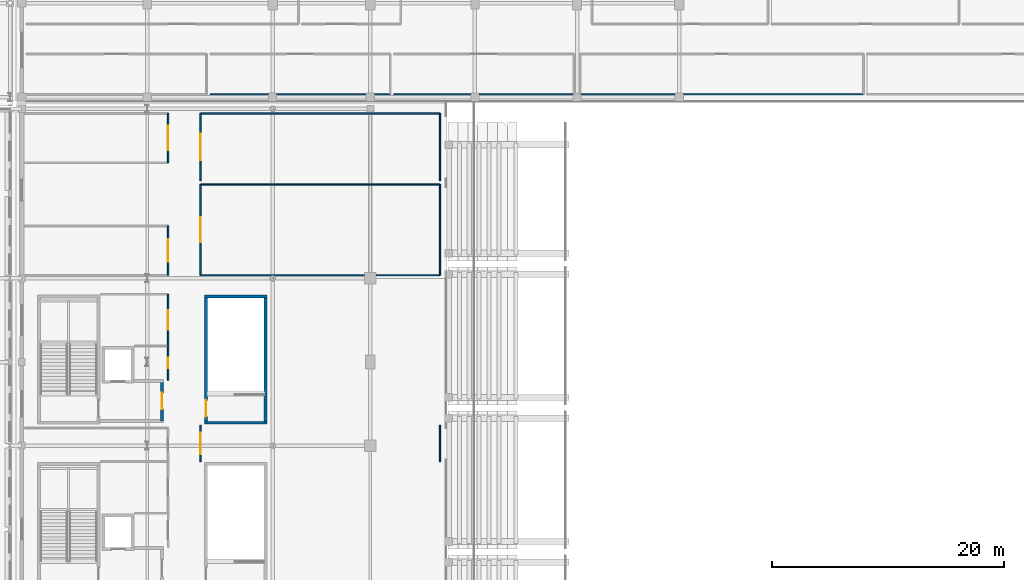
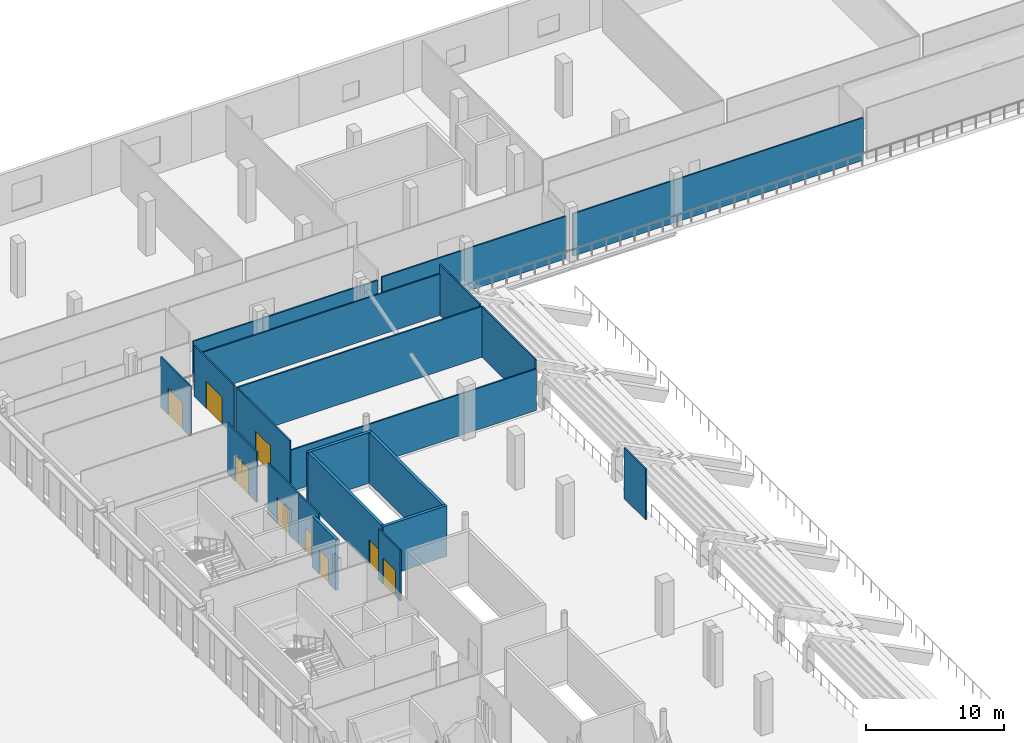
# One storey, part 34 of 74: 21 walls, 9 doors, 9 openings.
"""IFC4 building model written with IfcOpenShell, lengths in metres."""

from ifc_helpers import new_model, si_unit, direction, frame, frame_2d, origin, place, context, subcontext, project, spatial, rectangle, extrude, material, layer, layer_set, type_object, element, fill, save


model = new_model("IFC4")

# Units and contexts
model_context = context("Model", 3, precision=1e-05, world=origin(), true_north=direction((0.0, 1.0)))
body_context = subcontext(model_context, "Body", "Model", "MODEL_VIEW")
ifc_project = project(units=[si_unit("LENGTHUNIT", "METRE"), si_unit("AREAUNIT", "SQUARE_METRE"), si_unit("VOLUMEUNIT", "CUBIC_METRE"), si_unit("PLANEANGLEUNIT", "RADIAN"), si_unit("MASSUNIT", "GRAM", prefix="KILO")], contexts=[model_context])

# Site, building, storey
site_placement = place(None, origin())
site = spatial("IfcSite", under=ifc_project, at=site_placement, CompositionType="ELEMENT")
building_placement = place(site_placement, origin())
building = spatial("IfcBuilding", under=site, at=building_placement, Name="Koshinbarg Plaza Stadium", CompositionType="ELEMENT")
storey_placement = place(building_placement, frame((0.0, 0.0, 15.0)))
storey = spatial("IfcBuildingStorey", under=building, at=storey_placement, Name="L03", CompositionType="ELEMENT", Elevation=15.0)

# Walls
ifc_material_1 = material(Name="Concrete C40/50", Category="concrete")
ifc_layer_1 = layer(ifc_material_1, 0.25)
ifc_layer_set_1 = layer_set([ifc_layer_1], Name="Concrete C40/50")
wall_type_1 = type_object("IfcWallType", Name="WL-CORE-250", PredefinedType="SHEAR", material=ifc_layer_set_1)
for number, where, z_axis, x_axis, name in (
    (1, (40.35009765625, 99.47509765625, 0.0), (0.0, 0.0, 1.0), (1.0, 0.0, 0.0), "L03 vomitory stair shear wall VX06-near IWL-L03-0446"),
    (2, (45.719970703125, 110.324951171875, 0.0), (0.0, 0.0, 1.0), (-1.0, 0.0, 0.0), "L03 vomitory stair shear wall VX06-far IWL-L03-0447"),
):
    element("IfcWall", number, at=place(storey_placement, frame(where, z_axis=z_axis, x_axis=x_axis)), inside=storey, type_object=wall_type_1, Name=name, PredefinedType="SHEAR", context=body_context, shape_type="SweptSolid", body=[
        extrude(rectangle(XDim=5.369873046875, YDim=0.25, at=frame_2d((2.68505859375, 0.0))), origin(), (0.0, 0.0, 1.0), 4.5),
    ])

# Wall, opening, door
wall_1_placement = place(storey_placement, frame((40.47509765625, 99.47509765625, 0.0), z_axis=(0.0, 0.0, 1.0), x_axis=(0.0, 1.0, 0.0)))
wall_1 = element("IfcWall", 3, at=wall_1_placement, inside=storey, type_object=wall_type_1, Name="L03 vomitory stair shear wall VX06-left IWL-L03-0448", PredefinedType="SHEAR", context=body_context, shape_type="SweptSolid", body=[
    extrude(rectangle(XDim=10.849853515625, YDim=0.25, at=frame_2d((5.4248046875, 0.0))), origin(), (0.0, 0.0, 1.0), 4.5),
])
opening_1_placement = place(wall_1_placement, frame((0.52001953125, 0.0, 0.0)))
opening_1 = element("IfcOpeningElement", 4, at=opening_1_placement, cuts=wall_1, Name="Opening D-0174", PredefinedType="OPENING", context=body_context, shape_type="SweptSolid", body=[
    extrude(rectangle(XDim=1.39990234375, YDim=2.14990234375, at=frame_2d((0.699951171875, 1.074951171875))), frame((0.0, 0.135009765625, 0.0), z_axis=(0.0, -1.0, 0.0), x_axis=(1.0, 0.0, 0.0)), (0.0, 0.0, 1.0), 0.27001953125),
])
ifc_material_2 = material(Name="Painted galvanized steel fire door", Category="steel")
door_type_1 = type_object("IfcDoorType", Name="DR-STAIR-1400", OperationType="NOTDEFINED", PredefinedType="DOOR", material=ifc_material_2)
door_1_placement = place(opening_1_placement, frame((1.39990234375, 0.0, 0.0), z_axis=(0.0, 0.0, 1.0), x_axis=(-1.0, 0.0, 0.0)))
door_1 = element("IfcDoor", 5, at=door_1_placement, inside=storey, type_object=door_type_1, Name="L03 vomitory exit stair door VX06", OperationType="SINGLE_SWING_RIGHT", OverallHeight=2.14990234375, OverallWidth=1.39990234375, PredefinedType="DOOR", context=body_context, shape_type="SweptSolid", body=[
    extrude(rectangle(XDim=1.39990234375, YDim=2.14990234375, at=frame_2d((0.699951171875, 1.074951171875))), frame((0.0, 0.02490234375, 0.0), z_axis=(0.0, -1.0, 0.0), x_axis=(1.0, 0.0, 0.0)), (0.0, 0.0, 1.0), 0.050048828125),
])
fill(opening_1, door_1)

# Wall
wall_2_placement = place(storey_placement, frame((45.594970703125, 99.47509765625, 0.0), z_axis=(0.0, 0.0, 1.0), x_axis=(0.0, 1.0, 0.0)))
element("IfcWall", 6, at=wall_2_placement, inside=storey, type_object=wall_type_1, Name="L03 vomitory stair shear wall VX06-right IWL-L03-0449", PredefinedType="SHEAR", context=body_context, shape_type="SweptSolid", body=[
    extrude(rectangle(XDim=10.849853515625, YDim=0.25, at=frame_2d((5.4248046875, 0.0))), origin(), (0.0, 0.0, 1.0), 4.5),
])

# Wall, opening, door
wall_3_placement = place(storey_placement, frame((36.675048828125, 99.625, 0.0), z_axis=(0.0, 0.0, 1.0), x_axis=(0.0, 1.0, 0.0)))
wall_3 = element("IfcWall", 7, at=wall_3_placement, inside=storey, type_object=wall_type_1, Name="L03 firefighting lobby wall C06-E IWL-L03-0838", PredefinedType="SHEAR", context=body_context, shape_type="SweptSolid", body=[
    extrude(rectangle(XDim=3.449951171875, YDim=0.25, at=frame_2d((1.72509765625, 0.0))), origin(), (0.0, 0.0, 1.0), 4.5),
])
opening_2_placement = place(wall_3_placement, frame((1.02490234375, 0.0, 0.0)))
opening_2 = element("IfcOpeningElement", 8, at=opening_2_placement, cuts=wall_3, Name="Opening D-0278", PredefinedType="OPENING", context=body_context, shape_type="SweptSolid", body=[
    extrude(rectangle(XDim=1.39990234375, YDim=2.14990234375, at=frame_2d((0.699951171875, 1.074951171875))), frame((0.0, 0.135009765625, 0.0), z_axis=(0.0, -1.0, 0.0), x_axis=(1.0, 0.0, 0.0)), (0.0, 0.0, 1.0), 0.27001953125),
])
ifc_material_3 = material(Name="Smoke-sealed steel firefighting lobby door", Category="steel")
door_type_2 = type_object("IfcDoorType", Name="DR-FFLOB-1400", OperationType="NOTDEFINED", PredefinedType="DOOR", material=ifc_material_3)
door_2_placement = place(opening_2_placement, origin())
door_2 = element("IfcDoor", 9, at=door_2_placement, inside=storey, type_object=door_type_2, Name="L03 firefighting lobby fire door C06", OperationType="DOUBLE_DOOR_SINGLE_SWING", OverallHeight=2.14990234375, OverallWidth=1.39990234375, PredefinedType="DOOR", context=body_context, shape_type="SweptSolid", body=[
    extrude(rectangle(XDim=1.39990234375, YDim=2.14990234375, at=frame_2d((0.699951171875, 1.074951171875))), frame((0.0, 0.02490234375, 0.0), z_axis=(0.0, -1.0, 0.0), x_axis=(1.0, 0.0, 0.0)), (0.0, 0.0, 1.0), 0.050048828125),
])
fill(opening_2, door_2)

ifc_material_4 = material(Name="Gypsum board metal-stud acoustic partition")
ifc_layer_2 = layer(ifc_material_4, 0.1201171875)
ifc_layer_set_2 = layer_set([ifc_layer_2], Name="Gypsum board metal-stud acoustic partition")
wall_type_2 = type_object("IfcWallType", Name="WL-PART-120", PredefinedType="PARTITIONING", material=ifc_layer_set_2)
wall_4_placement = place(storey_placement, frame((37.199951171875, 106.080078125, 0.0), z_axis=(0.0, 0.0, 1.0), x_axis=(0.0, 1.0, 0.0)))
wall_4 = element("IfcWall", 10, at=wall_4_placement, inside=storey, type_object=wall_type_2, Name="L03 interior partition L03-76-east IWL-L03-1948", PredefinedType="PARTITIONING", context=body_context, shape_type="SweptSolid", body=[
    extrude(rectangle(XDim=4.449951171875, YDim=0.1201171875, at=frame_2d((2.22509765625, 0.0))), origin(), (0.0, 0.0, 1.0), 4.5),
])
opening_3_placement = place(wall_4_placement, frame((1.385009765625, 0.0, 0.0)))
opening_3 = element("IfcOpeningElement", 11, at=opening_3_placement, cuts=wall_4, Name="Opening D-0666", PredefinedType="OPENING", context=body_context, shape_type="SweptSolid", body=[
    extrude(rectangle(XDim=1.679931640625, YDim=2.25, at=frame_2d((0.83984375, 1.125))), frame((0.0, 0.070068359375, 0.0), z_axis=(0.0, -1.0, 0.0), x_axis=(1.0, 0.0, 0.0)), (0.0, 0.0, 1.0), 0.14013671875),
])
ifc_material_5 = material(Name="Powder-coated aluminium double glazed door", Category="aluminium")
door_type_3 = type_object("IfcDoorType", Name="DR-INT-1680x2250", OperationType="NOTDEFINED", PredefinedType="DOOR", material=ifc_material_5)
door_3_placement = place(opening_3_placement, origin())
door_3 = element("IfcDoor", 12, at=door_3_placement, inside=storey, type_object=door_type_3, Name="L03 West Family Cafe Hall door D-0666", OperationType="DOUBLE_DOOR_SINGLE_SWING", OverallHeight=2.25, OverallWidth=1.679931640625, PredefinedType="DOOR", context=body_context, shape_type="SweptSolid", body=[
    extrude(rectangle(XDim=1.679931640625, YDim=2.25, at=frame_2d((0.83984375, 1.125))), frame((0.0, 0.02490234375, 0.0), z_axis=(0.0, -1.0, 0.0), x_axis=(1.0, 0.0, 0.0)), (0.0, 0.0, 1.0), 0.050048828125),
])
fill(opening_3, door_3)

wall_5_placement = place(storey_placement, frame((37.199951171875, 103.1298828125, 0.0), z_axis=(0.0, 0.0, 1.0), x_axis=(0.0, 1.0, 0.0)))
wall_5 = element("IfcWall", 13, at=wall_5_placement, inside=storey, type_object=wall_type_2, Name="L03 interior partition L03-77-east IWL-L03-1950", PredefinedType="PARTITIONING", context=body_context, shape_type="SweptSolid", body=[
    extrude(rectangle(XDim=2.9501953125, YDim=0.1201171875, at=frame_2d((1.47509765625, 0.0))), origin(), (0.0, 0.0, 1.0), 4.5),
])
opening_4_placement = place(wall_5_placement, frame((1.014892578125, 0.0, 0.0)))
opening_4 = element("IfcOpeningElement", 14, at=opening_4_placement, cuts=wall_5, Name="Opening D-0667", PredefinedType="OPENING", context=body_context, shape_type="SweptSolid", body=[
    extrude(rectangle(XDim=0.919921875, YDim=2.10009765625, at=frame_2d((0.4599609375, 1.050048828125))), frame((0.0, 0.070068359375, 0.0), z_axis=(0.0, -1.0, 0.0), x_axis=(1.0, 0.0, 0.0)), (0.0, 0.0, 1.0), 0.14013671875),
])
ifc_material_6 = material(Name="Solid-core oak veneer acoustic door")
door_type_4 = type_object("IfcDoorType", Name="DR-INT-0920x2100", OperationType="NOTDEFINED", PredefinedType="DOOR", material=ifc_material_6)
door_4_placement = place(opening_4_placement, origin())
door_4 = element("IfcDoor", 15, at=door_4_placement, inside=storey, type_object=door_type_4, Name="L03 Supporters' Viewing Salon door D-0667", OperationType="SINGLE_SWING_LEFT", OverallHeight=2.10009765625, OverallWidth=0.919921875, PredefinedType="DOOR", context=body_context, shape_type="SweptSolid", body=[
    extrude(rectangle(XDim=0.919921875, YDim=2.10009765625, at=frame_2d((0.4599609375, 1.050048828125))), frame((0.0, 0.02490234375, 0.0), z_axis=(0.0, -1.0, 0.0), x_axis=(1.0, 0.0, 0.0)), (0.0, 0.0, 1.0), 0.050048828125),
])
fill(opening_4, door_4)

# Wall
wall_6_placement = place(storey_placement, frame((60.60009765625, 96.1298828125, 0.0), z_axis=(0.0, 0.0, 1.0), x_axis=(0.0, 1.0, 0.0)))
element("IfcWall", 16, at=wall_6_placement, inside=storey, type_object=wall_type_2, Name="L03 interior partition L03-78-east IWL-L03-1952", PredefinedType="PARTITIONING", context=body_context, shape_type="SweptSolid", body=[
    extrude(rectangle(XDim=3.14013671875, YDim=0.1201171875, at=frame_2d((1.570068359375, 0.0))), origin(), (0.0, 0.0, 1.0), 4.5),
])

# Wall, opening, door
wall_7_placement = place(storey_placement, frame((40.0, 99.27001953125, 0.0), z_axis=(0.0, 0.0, 1.0), x_axis=(0.0, -1.0, 0.0)))
wall_7 = element("IfcWall", 17, at=wall_7_placement, inside=storey, type_object=wall_type_2, Name="L03 interior partition L03-78-west IWL-L03-1953", PredefinedType="PARTITIONING", context=body_context, shape_type="SweptSolid", body=[
    extrude(rectangle(XDim=3.14013671875, YDim=0.1201171875, at=frame_2d((1.570068359375, 0.0))), origin(), (0.0, 0.0, 1.0), 4.5),
])
opening_5_placement = place(wall_7_placement, frame((0.639892578125, 0.0, 0.0)))
opening_5 = element("IfcOpeningElement", 18, at=opening_5_placement, cuts=wall_7, Name="Opening D-0668", PredefinedType="OPENING", context=body_context, shape_type="SweptSolid", body=[
    extrude(rectangle(XDim=1.860107421875, YDim=2.300048828125, at=frame_2d((0.93017578125, 1.14990234375))), frame((0.0, 0.070068359375, 0.0), z_axis=(0.0, -1.0, 0.0), x_axis=(1.0, 0.0, 0.0)), (0.0, 0.0, 1.0), 0.14013671875),
])
ifc_material_7 = material(Name="Acoustic solid-core walnut veneer fire door")
door_type_5 = type_object("IfcDoorType", Name="DR-INT-1860x2300", OperationType="NOTDEFINED", PredefinedType="DOOR", material=ifc_material_7)
door_5_placement = place(opening_5_placement, origin())
door_5 = element("IfcDoor", 19, at=door_5_placement, inside=storey, type_object=door_type_5, Name="L03 Supporters' Viewing Salon door D-0668", OperationType="DOUBLE_DOOR_SINGLE_SWING", OverallHeight=2.300048828125, OverallWidth=1.860107421875, PredefinedType="DOOR", context=body_context, shape_type="SweptSolid", body=[
    extrude(rectangle(XDim=1.860107421875, YDim=2.300048828125, at=frame_2d((0.93017578125, 1.14990234375))), frame((0.0, 0.02490234375, 0.0), z_axis=(0.0, -1.0, 0.0), x_axis=(1.0, 0.0, 0.0)), (0.0, 0.0, 1.0), 0.050048828125),
])
fill(opening_5, door_5)

wall_8_placement = place(storey_placement, frame((37.199951171875, 112.169921875, 0.0), z_axis=(0.0, 0.0, 1.0), x_axis=(0.0, 1.0, 0.0)))
wall_8 = element("IfcWall", 20, at=wall_8_placement, inside=storey, type_object=wall_type_2, Name="L03 interior partition L03-79-east IWL-L03-1955", PredefinedType="PARTITIONING", context=body_context, shape_type="SweptSolid", body=[
    extrude(rectangle(XDim=4.25537109375, YDim=0.1201171875, at=frame_2d((2.127685546875, 0.0))), origin(), (0.0, 0.0, 1.0), 4.5),
])
opening_6_placement = place(wall_8_placement, frame((1.147705078125, 0.0, 0.0)))
opening_6 = element("IfcOpeningElement", 21, at=opening_6_placement, cuts=wall_8, Name="Opening D-0669", PredefinedType="OPENING", context=body_context, shape_type="SweptSolid", body=[
    extrude(rectangle(XDim=1.9599609375, YDim=2.300048828125, at=frame_2d((0.97998046875, 1.14990234375))), frame((0.0, 0.070068359375, 0.0), z_axis=(0.0, -1.0, 0.0), x_axis=(1.0, 0.0, 0.0)), (0.0, 0.0, 1.0), 0.14013671875),
])
ifc_material_8 = material(Name="Bronze-anodised aluminium glazed double door", Category="aluminium")
door_type_6 = type_object("IfcDoorType", Name="DR-INT-1960x2300", OperationType="NOTDEFINED", PredefinedType="DOOR", material=ifc_material_8)
door_6_placement = place(opening_6_placement, origin())
door_6 = element("IfcDoor", 22, at=door_6_placement, inside=storey, type_object=door_type_6, Name="L03 Supporters' Viewing Salon door D-0669", OperationType="DOUBLE_DOOR_SINGLE_SWING", OverallHeight=2.300048828125, OverallWidth=1.9599609375, PredefinedType="DOOR", context=body_context, shape_type="SweptSolid", body=[
    extrude(rectangle(XDim=1.9599609375, YDim=2.300048828125, at=frame_2d((0.97998046875, 1.14990234375))), frame((0.0, 0.02490234375, 0.0), z_axis=(0.0, -1.0, 0.0), x_axis=(1.0, 0.0, 0.0)), (0.0, 0.0, 1.0), 0.050048828125),
])
fill(opening_6, door_6)

wall_9_placement = place(storey_placement, frame((37.199951171875, 121.849853515625, 0.0), z_axis=(0.0, 0.0, 1.0), x_axis=(0.0, 1.0, 0.0)))
wall_9 = element("IfcWall", 23, at=wall_9_placement, inside=storey, type_object=wall_type_2, Name="L03 interior partition L03-80-east IWL-L03-1958", PredefinedType="PARTITIONING", context=body_context, shape_type="SweptSolid", body=[
    extrude(rectangle(XDim=4.255126953125, YDim=0.1201171875, at=frame_2d((2.12744140625, 0.0))), origin(), (0.0, 0.0, 1.0), 4.5),
])
opening_7_placement = place(wall_9_placement, frame((1.087646484375, 0.0, 0.0)))
opening_7 = element("IfcOpeningElement", 24, at=opening_7_placement, cuts=wall_9, Name="Opening D-0670", PredefinedType="OPENING", context=body_context, shape_type="SweptSolid", body=[
    extrude(rectangle(XDim=2.080078125, YDim=2.35009765625, at=frame_2d((1.0400390625, 1.175048828125))), frame((0.0, 0.070068359375, 0.0), z_axis=(0.0, -1.0, 0.0), x_axis=(1.0, 0.0, 0.0)), (0.0, 0.0, 1.0), 0.14013671875),
])
ifc_material_9 = material(Name="Laminated safety glass aluminium vestibule door", Category="aluminium")
door_type_7 = type_object("IfcDoorType", Name="DR-INT-2080x2350", OperationType="NOTDEFINED", PredefinedType="DOOR", material=ifc_material_9)
door_7_placement = place(opening_7_placement, origin())
door_7 = element("IfcDoor", 25, at=door_7_placement, inside=storey, type_object=door_type_7, Name="L03 Upper Public Concourse door D-0670", OperationType="DOUBLE_DOOR_SINGLE_SWING", OverallHeight=2.35009765625, OverallWidth=2.080078125, PredefinedType="DOOR", context=body_context, shape_type="SweptSolid", body=[
    extrude(rectangle(XDim=2.080078125, YDim=2.35009765625, at=frame_2d((1.0400390625, 1.175048828125))), frame((0.0, 0.02490234375, 0.0), z_axis=(0.0, -1.0, 0.0), x_axis=(1.0, 0.0, 0.0)), (0.0, 0.0, 1.0), 0.050048828125),
])
fill(opening_7, door_7)

# Walls
wall_10_placement = place(storey_placement, frame((40.0, 112.169921875, 0.0), z_axis=(0.0, 0.0, 1.0), x_axis=(1.0, 0.0, 0.0)))
element("IfcWall", 26, at=wall_10_placement, inside=storey, type_object=wall_type_2, Name="L03 interior partition L03-81-south IWL-L03-1960", PredefinedType="PARTITIONING", context=body_context, shape_type="SweptSolid", body=[
    extrude(rectangle(XDim=20.60009765625, YDim=0.1201171875, at=frame_2d((10.300048828125, 0.0))), origin(), (0.0, 0.0, 1.0), 3.679931640625),
])
wall_11_placement = place(storey_placement, frame((60.60009765625, 112.169921875, 0.0), z_axis=(0.0, 0.0, 1.0), x_axis=(0.0, 1.0, 0.0)))
element("IfcWall", 27, at=wall_11_placement, inside=storey, type_object=wall_type_2, Name="L03 interior partition L03-81-east IWL-L03-1961", PredefinedType="PARTITIONING", context=body_context, shape_type="SweptSolid", body=[
    extrude(rectangle(XDim=7.81396484375, YDim=0.1201171875, at=frame_2d((3.906982421875, 0.0))), origin(), (0.0, 0.0, 1.0), 4.5),
])
wall_12_placement = place(storey_placement, frame((60.60009765625, 119.98388671875, 0.0), z_axis=(0.0, 0.0, 1.0), x_axis=(-1.0, 0.0, 0.0)))
element("IfcWall", 28, at=wall_12_placement, inside=storey, type_object=wall_type_2, Name="L03 interior partition L03-81-north IWL-L03-1962", PredefinedType="PARTITIONING", context=body_context, shape_type="SweptSolid", body=[
    extrude(rectangle(XDim=20.60009765625, YDim=0.1201171875, at=frame_2d((10.300048828125, 0.0))), origin(), (0.0, 0.0, 1.0), 4.5),
])

# Wall, opening, door
wall_13_placement = place(storey_placement, frame((40.0, 119.98388671875, 0.0), z_axis=(0.0, 0.0, 1.0), x_axis=(0.0, -1.0, 0.0)))
wall_13 = element("IfcWall", 29, at=wall_13_placement, inside=storey, type_object=wall_type_2, Name="L03 interior partition L03-81-west IWL-L03-1963", PredefinedType="PARTITIONING", context=body_context, shape_type="SweptSolid", body=[
    extrude(rectangle(XDim=7.81396484375, YDim=0.1201171875, at=frame_2d((3.906982421875, 0.0))), origin(), (0.0, 0.0, 1.0), 4.5),
])
opening_8_placement = place(wall_13_placement, frame((2.826904296875, 0.0, 0.0)))
opening_8 = element("IfcOpeningElement", 30, at=opening_8_placement, cuts=wall_13, Name="Opening D-0671", PredefinedType="OPENING", context=body_context, shape_type="SweptSolid", body=[
    extrude(rectangle(XDim=2.159912109375, YDim=2.35009765625, at=frame_2d((1.080078125, 1.175048828125))), frame((0.0, 0.070068359375, 0.0), z_axis=(0.0, -1.0, 0.0), x_axis=(1.0, 0.0, 0.0)), (0.0, 0.0, 1.0), 0.14013671875),
])
ifc_material_10 = material(Name="Galvanized painted steel double leaf door", Category="steel")
door_type_8 = type_object("IfcDoorType", Name="DR-INT-2160x2350", OperationType="NOTDEFINED", PredefinedType="DOOR", material=ifc_material_10)
door_8_placement = place(opening_8_placement, origin())
door_8 = element("IfcDoor", 31, at=door_8_placement, inside=storey, type_object=door_type_8, Name="L03 Concourse Beverage Kiosk door D-0671", OperationType="DOUBLE_DOOR_SINGLE_SWING", OverallHeight=2.35009765625, OverallWidth=2.159912109375, PredefinedType="DOOR", context=body_context, shape_type="SweptSolid", body=[
    extrude(rectangle(XDim=2.159912109375, YDim=2.35009765625, at=frame_2d((1.080078125, 1.175048828125))), frame((0.0, 0.02490234375, 0.0), z_axis=(0.0, -1.0, 0.0), x_axis=(1.0, 0.0, 0.0)), (0.0, 0.0, 1.0), 0.050048828125),
])
fill(opening_8, door_8)

# Walls
wall_14_placement = place(storey_placement, frame((60.60009765625, 120.283935546875, 0.0), z_axis=(0.0, 0.0, 1.0), x_axis=(0.0, 1.0, 0.0)))
element("IfcWall", 32, at=wall_14_placement, inside=storey, type_object=wall_type_2, Name="L03 interior partition L03-82-east IWL-L03-1964", PredefinedType="PARTITIONING", context=body_context, shape_type="SweptSolid", body=[
    extrude(rectangle(XDim=5.821044921875, YDim=0.1201171875, at=frame_2d((2.91064453125, 0.0))), origin(), (0.0, 0.0, 1.0), 4.5),
])
wall_15_placement = place(storey_placement, frame((60.60009765625, 126.10498046875, 0.0), z_axis=(0.0, 0.0, 1.0), x_axis=(-1.0, 0.0, 0.0)))
element("IfcWall", 33, at=wall_15_placement, inside=storey, type_object=wall_type_2, Name="L03 interior partition L03-82-north IWL-L03-1965", PredefinedType="PARTITIONING", context=body_context, shape_type="SweptSolid", body=[
    extrude(rectangle(XDim=20.60009765625, YDim=0.1201171875, at=frame_2d((10.300048828125, 0.0))), origin(), (0.0, 0.0, 1.0), 3.679931640625),
])

# Wall, opening, door
wall_16_placement = place(storey_placement, frame((40.0, 126.10498046875, 0.0), z_axis=(0.0, 0.0, 1.0), x_axis=(0.0, -1.0, 0.0)))
wall_16 = element("IfcWall", 34, at=wall_16_placement, inside=storey, type_object=wall_type_2, Name="L03 interior partition L03-82-west IWL-L03-1966", PredefinedType="PARTITIONING", context=body_context, shape_type="SweptSolid", body=[
    extrude(rectangle(XDim=5.821044921875, YDim=0.1201171875, at=frame_2d((2.91064453125, 0.0))), origin(), (0.0, 0.0, 1.0), 4.5),
])
opening_9_placement = place(wall_16_placement, frame((1.7705078125, 0.0, 0.0)))
opening_9 = element("IfcOpeningElement", 35, at=opening_9_placement, cuts=wall_16, Name="Opening D-0672", PredefinedType="OPENING", context=body_context, shape_type="SweptSolid", body=[
    extrude(rectangle(XDim=2.280029296875, YDim=2.39990234375, at=frame_2d((1.14013671875, 1.199951171875))), frame((0.0, 0.070068359375, 0.0), z_axis=(0.0, -1.0, 0.0), x_axis=(1.0, 0.0, 0.0)), (0.0, 0.0, 1.0), 0.14013671875),
])
ifc_material_11 = material(Name="Anodised aluminium and laminated glass portal door", Category="aluminium")
door_type_9 = type_object("IfcDoorType", Name="DR-INT-2280x2400", OperationType="NOTDEFINED", PredefinedType="DOOR", material=ifc_material_11)
door_9_placement = place(opening_9_placement, origin())
door_9 = element("IfcDoor", 36, at=door_9_placement, inside=storey, type_object=door_type_9, Name="L03 Upper Public Concourse door D-0672", OperationType="DOUBLE_DOOR_SINGLE_SWING", OverallHeight=2.39990234375, OverallWidth=2.280029296875, PredefinedType="DOOR", context=body_context, shape_type="SweptSolid", body=[
    extrude(rectangle(XDim=2.280029296875, YDim=2.39990234375, at=frame_2d((1.14013671875, 1.199951171875))), frame((0.0, 0.02490234375, 0.0), z_axis=(0.0, -1.0, 0.0), x_axis=(1.0, 0.0, 0.0)), (0.0, 0.0, 1.0), 0.050048828125),
])
fill(opening_9, door_9)

# Walls
wall_17_placement = place(storey_placement, frame((40.806640625, 127.7451171875, 0.0), z_axis=(0.0, 0.0, 1.0), x_axis=(1.0, 0.0, 0.0)))
element("IfcWall", 37, at=wall_17_placement, inside=storey, type_object=wall_type_2, Name="L03 interior partition L03-97-south IWL-L03-2003", PredefinedType="PARTITIONING", context=body_context, shape_type="SweptSolid", body=[
    extrude(rectangle(XDim=15.51171875, YDim=0.1201171875, at=frame_2d((7.755859375, 0.0))), origin(), (0.0, 0.0, 1.0), 3.6201171875),
])
wall_18_placement = place(storey_placement, frame((56.618408203125, 127.7451171875, 0.0), z_axis=(0.0, 0.0, 1.0), x_axis=(1.0, 0.0, 0.0)))
element("IfcWall", 38, at=wall_18_placement, inside=storey, type_object=wall_type_2, Name="L03 interior partition L03-98-south IWL-L03-2006", PredefinedType="PARTITIONING", context=body_context, shape_type="SweptSolid", body=[
    extrude(rectangle(XDim=15.511474609375, YDim=0.1201171875, at=frame_2d((7.755859375, 0.0))), origin(), (0.0, 0.0, 1.0), 3.780029296875),
])
wall_19_placement = place(storey_placement, frame((72.669921875, 127.7451171875, 0.0), z_axis=(0.0, 0.0, 1.0), x_axis=(1.0, 0.0, 0.0)))
element("IfcWall", 39, at=wall_19_placement, inside=storey, type_object=wall_type_2, Name="L03 interior partition L03-101-south IWL-L03-2013", PredefinedType="PARTITIONING", context=body_context, shape_type="SweptSolid", body=[
    extrude(rectangle(XDim=24.380126953125, YDim=0.1201171875, at=frame_2d((12.18994140625, 0.0))), origin(), (0.0, 0.0, 1.0), 3.780029296875),
])

save(model, "model.ifc")
